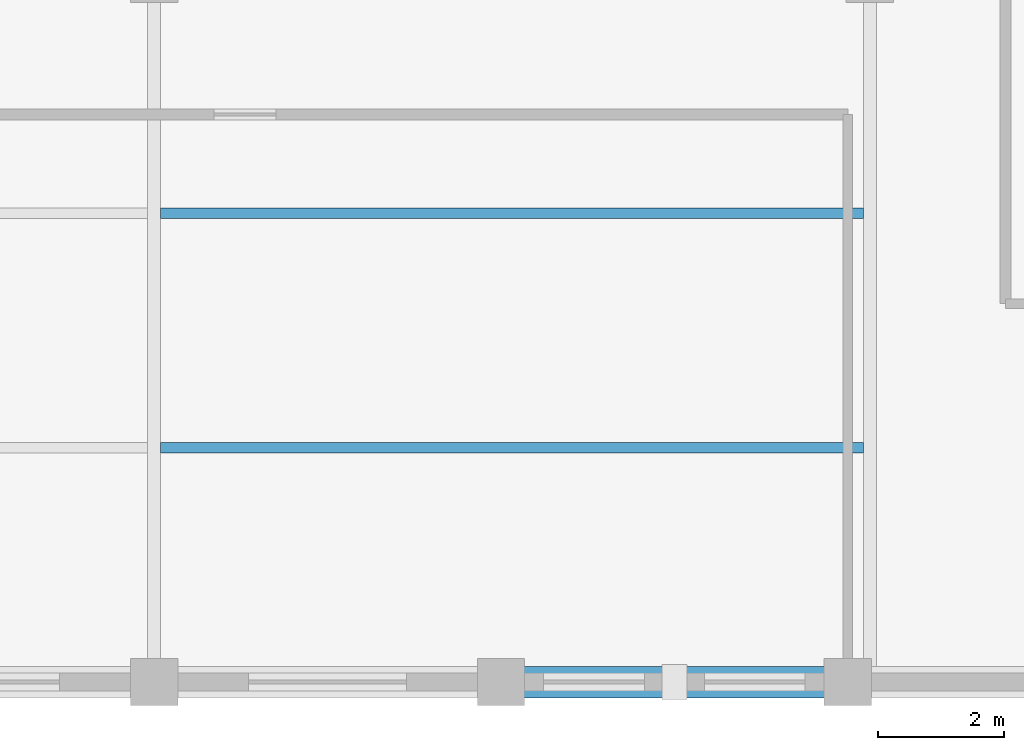
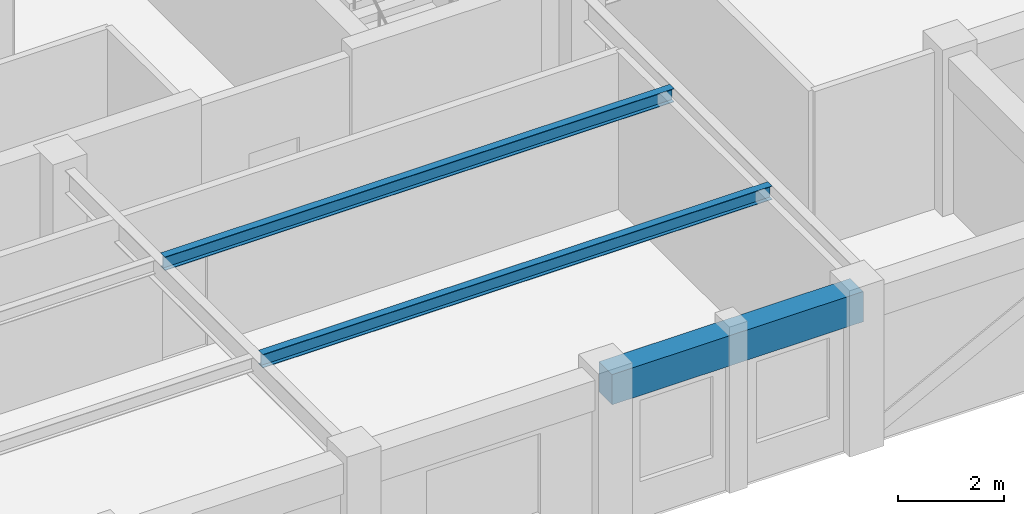
# One storey, part 3 of 10: 3 beams.
"""IFC4 building model written with IfcOpenShell, lengths in metres."""

from ifc_helpers import new_model, si_unit, direction, frame, origin, origin_2d, place, context, subcontext, project, spatial, rectangle, i_section, extrude, material, material_profile, profile_set, type_object, element, save


model = new_model("IFC4")

# Units and contexts
model_context = context("Model", 3, precision=1e-05, world=origin(), true_north=direction((0.0, 1.0)))
body_context = subcontext(model_context, "Body", "Model", "MODEL_VIEW")
ifc_project = project(units=[si_unit("LENGTHUNIT", "METRE"), si_unit("AREAUNIT", "SQUARE_METRE"), si_unit("VOLUMEUNIT", "CUBIC_METRE"), si_unit("PLANEANGLEUNIT", "RADIAN"), si_unit("MASSUNIT", "GRAM", prefix="KILO")], contexts=[model_context])

# Site, building, storey
site_placement = place(None, origin())
site = spatial("IfcSite", under=ifc_project, at=site_placement, CompositionType="ELEMENT")
building_placement = place(site_placement, origin())
building = spatial("IfcBuilding", under=site, at=building_placement, Name="Nhamokura Convention Tower", CompositionType="ELEMENT")
storey_placement = place(building_placement, frame((0.0, 0.0, 304.5)))
storey = spatial("IfcBuildingStorey", under=building, at=storey_placement, Name="L75", CompositionType="ELEMENT", Elevation=304.5)

# Beams
ifc_material_1 = material(Name="Steel ASTM A992 Gr 50", Category="steel")
ifc_material_profile_1 = material_profile(ifc_material_1, i_section(OverallWidth=0.166015625, OverallDepth=0.31298828125, WebThickness=0.006591796875, FlangeThickness=0.01123046875, at=origin_2d()))
ifc_profile_set_1 = profile_set([ifc_material_profile_1], Name="Steel ASTM A992 Gr 50")
beam_type_1 = type_object("IfcBeamType", Name="FloorJoist_W310X45", PredefinedType="JOIST", material=ifc_profile_set_1)
for number, where, z_axis, x_axis, name in (
    (1, (32.1025390625, 13.216796875, 3.473388671875), (1.0, 0.0, 0.0), (0.0, 1.0, 0.0), "L75 Composite Floor Joist S1B"),
    (2, (32.1025390625, 16.933349609375, 3.473388671875), (1.0, 0.0, 0.0), (0.0, 1.0, 0.0), "L75 Composite Floor Joist S2B"),
):
    element("IfcBeam", number, at=place(storey_placement, frame(where, z_axis=z_axis, x_axis=x_axis)), inside=storey, type_object=beam_type_1, Name=name, PredefinedType="JOIST", context=body_context, shape_type="SweptSolid", body=[
        extrude(i_section(OverallWidth=0.166015625, OverallDepth=0.31298828125, WebThickness=0.006591796875, FlangeThickness=0.01123046875, at=origin_2d()), origin(), (0.0, 0.0, 1.0), 11.14501953125),
    ])
ifc_material_2 = material(Name="Concrete C50/60", Category="concrete")
ifc_material_profile_2 = material_profile(ifc_material_2, rectangle(XDim=0.5, YDim=0.699951171875, at=origin_2d()))
ifc_profile_set_2 = profile_set([ifc_material_profile_2], Name="Concrete C50/60")
beam_type_2 = type_object("IfcBeamType", Name="TubeSpandrel_700", PredefinedType="SPANDREL", material=ifc_profile_set_2)
beam_placement = place(storey_placement, frame((37.5, 9.5, 3.280029296875), z_axis=(1.0, 0.0, 0.0), x_axis=(0.0, 1.0, 0.0)))
element("IfcBeam", 3, at=beam_placement, inside=storey, type_object=beam_type_2, Name="L75 Perimeter Spandrel SOUTH 5", PredefinedType="SPANDREL", context=body_context, shape_type="SweptSolid", body=[
    extrude(rectangle(XDim=0.5, YDim=0.699951171875, at=origin_2d()), origin(), (0.0, 0.0, 1.0), 5.5),
])

save(model, "model.ifc")
